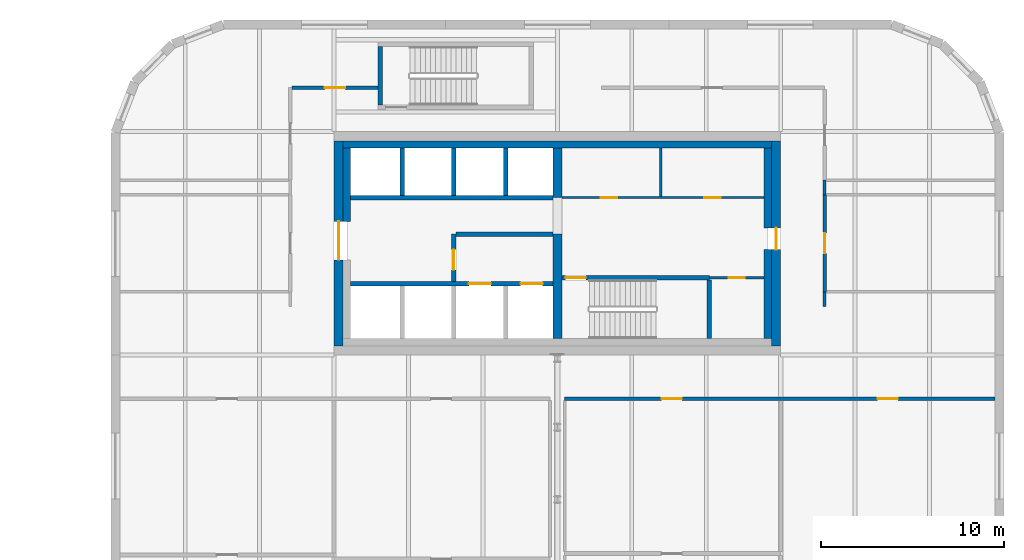
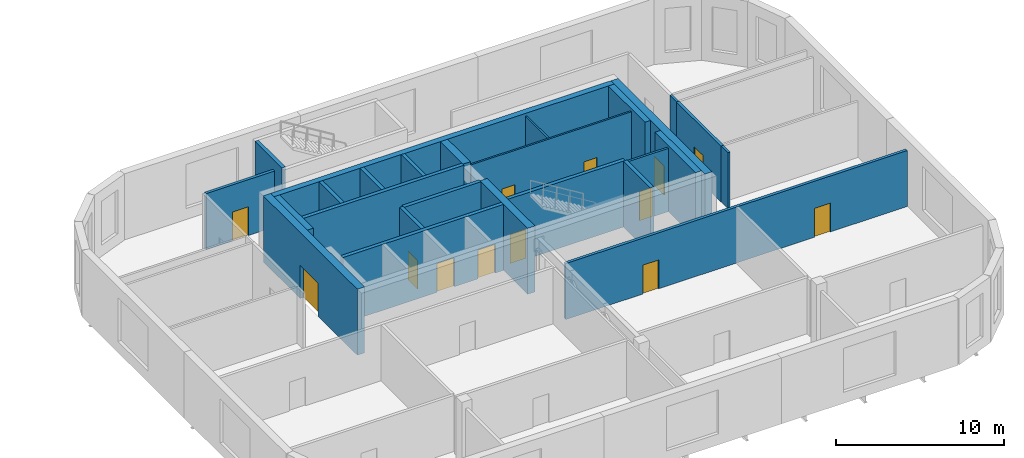
# One storey, part 15 of 21: 26 walls, 13 doors, 13 openings.
"""IFC4 building model written with IfcOpenShell, lengths in metres."""

from ifc_helpers import new_model, si_unit, direction, frame, frame_2d, origin, place, context, subcontext, project, spatial, rectangle, extrude, source, transform, mapped, material, layer, layer_set, type_object, element, fill, save


model = new_model("IFC4")

# Units and contexts
model_context = context("Model", 3, precision=1e-05, world=origin(), true_north=direction((0.0, 1.0)))
body_context = subcontext(model_context, "Body", "Model", "MODEL_VIEW")
ifc_project = project(units=[si_unit("LENGTHUNIT", "METRE"), si_unit("AREAUNIT", "SQUARE_METRE"), si_unit("VOLUMEUNIT", "CUBIC_METRE"), si_unit("PLANEANGLEUNIT", "RADIAN"), si_unit("MASSUNIT", "GRAM", prefix="KILO")], contexts=[model_context])

# Site, building, storey
site_placement = place(None, origin())
site = spatial("IfcSite", under=ifc_project, at=site_placement, CompositionType="ELEMENT")
building_placement = place(site_placement, origin())
building = spatial("IfcBuilding", under=site, at=building_placement, Name="Tessera Gate Towers", CompositionType="ELEMENT")
storey_placement = place(building_placement, frame((0.0, 0.0, 63.800048828125)))
storey = spatial("IfcBuildingStorey", under=building, at=storey_placement, Name="L15", CompositionType="ELEMENT", Elevation=63.800048828125)

# Walls
ifc_material_1 = material(Name="Gypsum board on steel studs, mineral wool", Category="steel")
ifc_layer_1 = layer(ifc_material_1, 0.14990234375)
ifc_layer_set_1 = layer_set([ifc_layer_1], Name="CHASE WALL 150")
wall_type_1 = type_object("IfcWallType", Name="CHASE WALL 150", PredefinedType="PARTITIONING", material=ifc_layer_set_1)
wall_1_placement = place(storey_placement, frame((124.39990234375, 39.25, 0.0), z_axis=(0.0, 0.0, 1.0), x_axis=(0.0, 1.0, 0.0)))
element("IfcWall", 1, at=wall_1_placement, inside=storey, type_object=wall_type_1, Name="T2-L15-PW-019", PredefinedType="PARTITIONING", context=body_context, shape_type="SweptSolid", body=[
    extrude(rectangle(XDim=0.799072265625, YDim=0.14990234375, at=frame_2d((0.3994140625, 0.0))), origin(), (0.0, 0.0, 1.0), 4.06689453125),
])
wall_2_placement = place(storey_placement, frame((124.39990234375, 45.35107421875, 0.0), z_axis=(0.0, 0.0, 1.0), x_axis=(0.0, 1.0, 0.0)))
element("IfcWall", 2, at=wall_2_placement, inside=storey, type_object=wall_type_1, Name="T2-L15-PW-026", PredefinedType="PARTITIONING", context=body_context, shape_type="SweptSolid", body=[
    extrude(rectangle(XDim=0.7978515625, YDim=0.14990234375, at=frame_2d((0.39892578125, 0.0))), origin(), (0.0, 0.0, 1.0), 4.06689453125),
])

# Wall, openings, doors
ifc_material_2 = material(Name="Concrete C40/50", Category="concrete")
ifc_layer_2 = layer(ifc_material_2, 0.25)
ifc_layer_set_2 = layer_set([ifc_layer_2], Name="CORE ENCLOSURE WALL 250")
wall_type_2 = type_object("IfcWallType", Name="CORE ENCLOSURE WALL 250", PredefinedType="SOLIDWALL", material=ifc_layer_set_2)
wall_3_placement = place(storey_placement, frame((98.5, 40.5, 0.0), z_axis=(0.0, 0.0, 1.0), x_axis=(1.0, 0.0, 0.0)))
wall_3 = element("IfcWall", 3, at=wall_3_placement, inside=storey, type_object=wall_type_2, Name="L15 shaft and stair enclosure wall", PredefinedType="SOLIDWALL", context=body_context, shape_type="SweptSolid", body=[
    extrude(rectangle(XDim=11.050048828125, YDim=0.25, at=frame_2d((5.52490234375, 0.0))), origin(), (0.0, 0.0, 1.0), 4.800048828125),
])
shared_shape_1 = source(origin(), body_context, "Body", "SweptSolid", [
    extrude(rectangle(XDim=1.199951171875, YDim=2.10009765625, at=frame_2d((0.60009765625, 1.050048828125))), frame((0.0, 0.135009765625, 0.0), z_axis=(0.0, -1.0, 0.0), x_axis=(1.0, 0.0, 0.0)), (0.0, 0.0, 1.0), 0.27001953125),
])
opening_1_placement = place(wall_3_placement, frame((6.46240234375, 0.0, 0.0)))
opening_1 = element("IfcOpeningElement", 4, at=opening_1_placement, cuts=wall_3, Name="Opening LD-FF3", PredefinedType="OPENING", context=body_context, shape_type="MappedRepresentation", body=[
    mapped(shared_shape_1, transform((0.0, 0.0, 0.0), scale=1.0)),
])
opening_2_placement = place(wall_3_placement, frame((9.28759765625, 0.0, 0.0)))
opening_2 = element("IfcOpeningElement", 5, at=opening_2_placement, cuts=wall_3, Name="Opening LD-FF4", PredefinedType="OPENING", context=body_context, shape_type="MappedRepresentation", body=[
    mapped(shared_shape_1, transform((0.0, 0.0, 0.0), scale=1.0)),
])
ifc_material_3 = material(Name="Stainless steel", Category="steel")
door_type_1 = type_object("IfcDoorType", Name="CORE DOOR LD1200 1200x2100", OperationType="DOUBLE_DOOR_SLIDING", PredefinedType="DOOR", material=ifc_material_3)
shared_shape_2 = source(origin(), body_context, "Body", "SweptSolid", [
    extrude(rectangle(XDim=1.199951171875, YDim=2.10009765625, at=frame_2d((0.60009765625, 1.050048828125))), frame((0.0, 0.02490234375, 0.0), z_axis=(0.0, -1.0, 0.0), x_axis=(1.0, 0.0, 0.0)), (0.0, 0.0, 1.0), 0.050048828125),
])
door_1_placement = place(opening_1_placement, origin())
door_1 = element("IfcDoor", 6, at=door_1_placement, inside=storey, type_object=door_type_1, Name="Landing door FF3 L15", OperationType="DOUBLE_DOOR_SLIDING", OverallHeight=2.10009765625, OverallWidth=1.199951171875, PredefinedType="DOOR", context=body_context, shape_type="MappedRepresentation", body=[
    mapped(shared_shape_2, transform((0.0, 0.0, 0.0), scale=1.0)),
])
fill(opening_1, door_1)
door_2_placement = place(opening_2_placement, origin())
door_2 = element("IfcDoor", 7, at=door_2_placement, inside=storey, type_object=door_type_1, Name="Landing door FF4 L15", OperationType="DOUBLE_DOOR_SLIDING", OverallHeight=2.10009765625, OverallWidth=1.199951171875, PredefinedType="DOOR", context=body_context, shape_type="MappedRepresentation", body=[
    mapped(shared_shape_2, transform((0.0, 0.0, 0.0), scale=1.0)),
])
fill(opening_2, door_2)

# Wall
wall_4_placement = place(storey_placement, frame((98.5, 45.199951171875, 0.0), z_axis=(0.0, 0.0, 1.0), x_axis=(1.0, 0.0, 0.0)))
element("IfcWall", 8, at=wall_4_placement, inside=storey, type_object=wall_type_2, Name="L15 shaft and stair enclosure wall", PredefinedType="SOLIDWALL", context=body_context, shape_type="SweptSolid", body=[
    extrude(rectangle(XDim=11.050048828125, YDim=0.25, at=frame_2d((5.52490234375, 0.0))), origin(), (0.0, 0.0, 1.0), 4.800048828125),
])

# Wall, opening, door
wall_5_placement = place(storey_placement, frame((118.10009765625, 40.824951171875, 0.0), z_axis=(0.0, 0.0, 1.0), x_axis=(-1.0, 0.0, 0.0)))
wall_5 = element("IfcWall", 9, at=wall_5_placement, inside=storey, type_object=wall_type_2, Name="L15 shaft and stair enclosure wall", PredefinedType="SOLIDWALL", context=body_context, shape_type="SweptSolid", body=[
    extrude(rectangle(XDim=8.050048828125, YDim=0.25, at=frame_2d((4.02490234375, 0.0))), origin(), (0.0, 0.0, 1.0), 4.800048828125),
])
shared_shape_3 = source(origin(), body_context, "Body", "SweptSolid", [
    extrude(rectangle(XDim=1.10009765625, YDim=2.10009765625, at=frame_2d((0.550048828125, 1.050048828125))), frame((0.0, 0.135009765625, 0.0), z_axis=(0.0, -1.0, 0.0), x_axis=(1.0, 0.0, 0.0)), (0.0, 0.0, 1.0), 0.27001953125),
])
opening_3_placement = place(wall_5_placement, frame((6.75, 0.0, 0.0)))
opening_3 = element("IfcOpeningElement", 10, at=opening_3_placement, cuts=wall_5, Name="Opening SD-ST6-1", PredefinedType="OPENING", context=body_context, shape_type="MappedRepresentation", body=[
    mapped(shared_shape_3, transform((0.0, 0.0, 0.0), scale=1.0)),
])
ifc_material_4 = material(Name="Hollow steel fire door", Category="steel")
door_type_2 = type_object("IfcDoorType", Name="CORE DOOR SD1100 1100x2100", OperationType="NOTDEFINED", PredefinedType="DOOR", material=ifc_material_4)
shared_shape_4 = source(origin(), body_context, "Body", "SweptSolid", [
    extrude(rectangle(XDim=1.10009765625, YDim=2.10009765625, at=frame_2d((0.550048828125, 1.050048828125))), frame((0.0, 0.02490234375, 0.0), z_axis=(0.0, -1.0, 0.0), x_axis=(1.0, 0.0, 0.0)), (0.0, 0.0, 1.0), 0.050048828125),
])
door_3_placement = place(opening_3_placement, origin())
door_3 = element("IfcDoor", 11, at=door_3_placement, inside=storey, type_object=door_type_2, Name="Stair door", OperationType="SINGLE_SWING_RIGHT", OverallHeight=2.10009765625, OverallWidth=1.10009765625, PredefinedType="DOOR", context=body_context, shape_type="MappedRepresentation", body=[
    mapped(shared_shape_4, transform((0.0, 0.0, 0.0), scale=1.0)),
])
fill(opening_3, door_3)

wall_6_placement = place(storey_placement, frame((104.14990234375, 43.199951171875, 0.0), z_axis=(0.0, 0.0, 1.0), x_axis=(0.0, -1.0, 0.0)))
wall_6 = element("IfcWall", 12, at=wall_6_placement, inside=storey, type_object=wall_type_2, Name="L15 shaft and stair enclosure wall", PredefinedType="SOLIDWALL", context=body_context, shape_type="SweptSolid", body=[
    extrude(rectangle(XDim=2.574951171875, YDim=0.25, at=frame_2d((1.28759765625, 0.0))), origin(), (0.0, 0.0, 1.0), 4.800048828125),
])
opening_4_placement = place(wall_6_placement, frame((0.85009765625, 0.0, 0.0)))
opening_4 = element("IfcOpeningElement", 13, at=opening_4_placement, cuts=wall_6, Name="Opening FD-T2-08-03", PredefinedType="OPENING", context=body_context, shape_type="MappedRepresentation", body=[
    mapped(shared_shape_3, transform((0.0, 0.0, 0.0), scale=1.0)),
])
ifc_material_5 = material(Name="Hollow steel fire door", Category="steel")
door_type_3 = type_object("IfcDoorType", Name="CORE DOOR FD 1100x2100", OperationType="NOTDEFINED", PredefinedType="DOOR", material=ifc_material_5)
door_4_placement = place(opening_4_placement, origin())
door_4 = element("IfcDoor", 14, at=door_4_placement, inside=storey, type_object=door_type_3, Name="Fire-fighting lobby door", OperationType="SINGLE_SWING_RIGHT", OverallHeight=2.10009765625, OverallWidth=1.10009765625, PredefinedType="DOOR", context=body_context, shape_type="MappedRepresentation", body=[
    mapped(shared_shape_4, transform((0.0, 0.0, 0.0), scale=1.0)),
])
fill(opening_4, door_4)

# Walls
wall_7_placement = place(storey_placement, frame((104.27490234375, 43.199951171875, 0.0), z_axis=(0.0, 0.0, 1.0), x_axis=(1.0, 0.0, 0.0)))
element("IfcWall", 15, at=wall_7_placement, inside=storey, type_object=wall_type_2, Name="L15 shaft and stair enclosure wall", PredefinedType="SOLIDWALL", context=body_context, shape_type="SweptSolid", body=[
    extrude(rectangle(XDim=5.275146484375, YDim=0.25, at=frame_2d((2.6376953125, 0.0))), origin(), (0.0, 0.0, 1.0), 4.800048828125),
])
wall_8_placement = place(storey_placement, frame((118.10009765625, 37.5, 0.0), z_axis=(0.0, 0.0, 1.0), x_axis=(0.0, 1.0, 0.0)))
element("IfcWall", 16, at=wall_8_placement, inside=storey, type_object=wall_type_2, Name="L15 shaft and stair enclosure wall", PredefinedType="SOLIDWALL", context=body_context, shape_type="SweptSolid", body=[
    extrude(rectangle(XDim=3.199951171875, YDim=0.25, at=frame_2d((1.60009765625, 0.0))), origin(), (0.0, 0.0, 1.0), 4.800048828125),
])
for number, where, z_axis, x_axis, name in (
    (17, (101.324951171875, 45.324951171875, 0.0), (0.0, 0.0, 1.0), (0.0, 1.0, 0.0), "L15 shaft and stair enclosure wall"),
    (18, (104.14990234375, 45.324951171875, 0.0), (0.0, 0.0, 1.0), (0.0, 1.0, 0.0), "L15 shaft and stair enclosure wall"),
    (19, (106.97509765625, 45.324951171875, 0.0), (0.0, 0.0, 1.0), (0.0, 1.0, 0.0), "L15 shaft and stair enclosure wall"),
):
    element("IfcWall", number, at=place(storey_placement, frame(where, z_axis=z_axis, x_axis=x_axis)), inside=storey, type_object=wall_type_2, Name=name, PredefinedType="SOLIDWALL", context=body_context, shape_type="SweptSolid", body=[
        extrude(rectangle(XDim=2.574951171875, YDim=0.25, at=frame_2d((1.28759765625, 0.0))), origin(), (0.0, 0.0, 1.0), 4.800048828125),
    ])
wall_9_placement = place(storey_placement, frame((100.125, 50.25, 0.0), z_axis=(0.0, 0.0, 1.0), x_axis=(0.0, 1.0, 0.0)))
element("IfcWall", 20, at=wall_9_placement, inside=storey, type_object=wall_type_2, Name="L15 ST7 enclosure wall", PredefinedType="SOLIDWALL", context=body_context, shape_type="SweptSolid", body=[
    extrude(rectangle(XDim=3.199951171875, YDim=0.25, at=frame_2d((1.60009765625, 0.0))), origin(), (0.0, 0.0, 1.0), 4.800048828125),
])

# Wall, openings, doors
ifc_material_6 = material(Name="Gypsum board on steel studs", Category="steel")
ifc_layer_3 = layer(ifc_material_6, 0.1201171875)
ifc_layer_set_3 = layer_set([ifc_layer_3], Name="CORE PARTITION 120")
wall_type_3 = type_object("IfcWallType", Name="CORE PARTITION 120", PredefinedType="PARTITIONING", material=ifc_layer_set_3)
wall_10_placement = place(storey_placement, frame((110.050048828125, 45.199951171875, 0.0), z_axis=(0.0, 0.0, 1.0), x_axis=(1.0, 0.0, 0.0)))
wall_10 = element("IfcWall", 21, at=wall_10_placement, inside=storey, type_object=wall_type_3, Name="L15 core partition", PredefinedType="PARTITIONING", context=body_context, shape_type="SweptSolid", body=[
    extrude(rectangle(XDim=11.050048828125, YDim=0.1201171875, at=frame_2d((5.52490234375, 0.0))), origin(), (0.0, 0.0, 1.0), 4.599853515625),
])
shared_shape_5 = source(origin(), body_context, "Body", "SweptSolid", [
    extrude(rectangle(XDim=0.89990234375, YDim=2.10009765625, at=frame_2d((0.449951171875, 1.050048828125))), frame((0.0, 0.070068359375, 0.0), z_axis=(0.0, -1.0, 0.0), x_axis=(1.0, 0.0, 0.0)), (0.0, 0.0, 1.0), 0.14013671875),
])
opening_5_placement = place(wall_10_placement, frame((2.125, 0.0, 0.0)))
opening_5 = element("IfcOpeningElement", 22, at=opening_5_placement, cuts=wall_10, Name="Opening RD-T2-08-04", PredefinedType="OPENING", context=body_context, shape_type="MappedRepresentation", body=[
    mapped(shared_shape_5, transform((0.0, 0.0, 0.0), scale=1.0)),
])
opening_6_placement = place(wall_10_placement, frame((7.77490234375, 0.0, 0.0)))
opening_6 = element("IfcOpeningElement", 23, at=opening_6_placement, cuts=wall_10, Name="Opening RD-T2-08-05", PredefinedType="OPENING", context=body_context, shape_type="MappedRepresentation", body=[
    mapped(shared_shape_5, transform((0.0, 0.0, 0.0), scale=1.0)),
])
ifc_material_7 = material(Name="Hollow steel fire door", Category="steel")
door_type_4 = type_object("IfcDoorType", Name="CORE DOOR RD 900x2100", OperationType="NOTDEFINED", PredefinedType="DOOR", material=ifc_material_7)
shared_shape_6 = source(origin(), body_context, "Body", "SweptSolid", [
    extrude(rectangle(XDim=0.89990234375, YDim=2.10009765625, at=frame_2d((0.449951171875, 1.050048828125))), frame((0.0, 0.02490234375, 0.0), z_axis=(0.0, -1.0, 0.0), x_axis=(1.0, 0.0, 0.0)), (0.0, 0.0, 1.0), 0.050048828125),
])
door_5_placement = place(opening_5_placement, origin())
door_5 = element("IfcDoor", 24, at=door_5_placement, inside=storey, type_object=door_type_4, Name="Core room door", OperationType="SINGLE_SWING_LEFT", OverallHeight=2.10009765625, OverallWidth=0.89990234375, PredefinedType="DOOR", context=body_context, shape_type="MappedRepresentation", body=[
    mapped(shared_shape_6, transform((0.0, 0.0, 0.0), scale=1.0)),
])
fill(opening_5, door_5)
door_6_placement = place(opening_6_placement, origin())
door_6 = element("IfcDoor", 25, at=door_6_placement, inside=storey, type_object=door_type_4, Name="Core room door", OperationType="SINGLE_SWING_RIGHT", OverallHeight=2.10009765625, OverallWidth=0.89990234375, PredefinedType="DOOR", context=body_context, shape_type="MappedRepresentation", body=[
    mapped(shared_shape_6, transform((0.0, 0.0, 0.0), scale=1.0)),
])
fill(opening_6, door_6)

# Wall
wall_11_placement = place(storey_placement, frame((115.449951171875, 45.260009765625, 0.0), z_axis=(0.0, 0.0, 1.0), x_axis=(0.0, 1.0, 0.0)))
element("IfcWall", 26, at=wall_11_placement, inside=storey, type_object=wall_type_3, Name="L15 core partition", PredefinedType="PARTITIONING", context=body_context, shape_type="SweptSolid", body=[
    extrude(rectangle(XDim=2.639892578125, YDim=0.1201171875, at=frame_2d((1.31982421875, 0.0))), origin(), (0.0, 0.0, 1.0), 4.599853515625),
])

# Wall, opening, door
ifc_material_8 = material(Name="Concrete C50/60", Category="concrete")
ifc_layer_4 = layer(ifc_material_8, 0.5)
ifc_layer_set_4 = layer_set([ifc_layer_4], Name="CORE SHEAR WALL 500 C50/60")
wall_type_4 = type_object("IfcWallType", Name="CORE SHEAR WALL 500 C50/60", PredefinedType="SHEAR", material=ifc_layer_set_4)
wall_12_placement = place(storey_placement, frame((97.85009765625, 37.10009765625, 0.0), z_axis=(0.0, 0.0, 1.0), x_axis=(0.0, 1.0, 0.0)))
wall_12 = element("IfcWall", 27, at=wall_12_placement, inside=storey, type_object=wall_type_4, Name="Core wall W L15", PredefinedType="SHEAR", context=body_context, shape_type="SweptSolid", body=[
    extrude(rectangle(XDim=11.199951171875, YDim=0.5, at=frame_2d((5.60009765625, 0.0))), origin(), (0.0, 0.0, 1.0), 4.800048828125),
])
shared_shape_7 = source(origin(), body_context, "Body", "SweptSolid", [
    extrude(rectangle(XDim=2.10009765625, YDim=2.39990234375, at=frame_2d((1.050048828125, 1.199951171875))), frame((0.0, 0.260009765625, 0.0), z_axis=(0.0, -1.0, 0.0), x_axis=(1.0, 0.0, 0.0)), (0.0, 0.0, 1.0), 0.52001953125),
])
opening_7_placement = place(wall_12_placement, frame((4.699951171875, 0.0, 0.0)))
opening_7 = element("IfcOpeningElement", 28, at=opening_7_placement, cuts=wall_12, Name="Opening DD-T2-08-01", PredefinedType="OPENING", context=body_context, shape_type="MappedRepresentation", body=[
    mapped(shared_shape_7, transform((0.0, 0.0, 0.0), scale=1.0)),
])
ifc_material_9 = material(Name="Hollow steel fire door", Category="steel")
door_type_5 = type_object("IfcDoorType", Name="CORE DOOR DD 2100x2400", OperationType="NOTDEFINED", PredefinedType="DOOR", material=ifc_material_9)
shared_shape_8 = source(origin(), body_context, "Body", "SweptSolid", [
    extrude(rectangle(XDim=2.10009765625, YDim=2.39990234375, at=frame_2d((1.050048828125, 1.199951171875))), frame((0.0, 0.02490234375, 0.0), z_axis=(0.0, -1.0, 0.0), x_axis=(1.0, 0.0, 0.0)), (0.0, 0.0, 1.0), 0.050048828125),
])
door_7_placement = place(opening_7_placement, origin())
door_7 = element("IfcDoor", 29, at=door_7_placement, inside=storey, type_object=door_type_5, Name="Core entrance door", OperationType="DOUBLE_DOOR_SINGLE_SWING", OverallHeight=2.39990234375, OverallWidth=2.10009765625, PredefinedType="DOOR", context=body_context, shape_type="MappedRepresentation", body=[
    mapped(shared_shape_8, transform((0.0, 0.0, 0.0), scale=1.0)),
])
fill(opening_7, door_7)

wall_13_placement = place(storey_placement, frame((121.75, 48.300048828125, 0.0), z_axis=(0.0, 0.0, 1.0), x_axis=(0.0, -1.0, 0.0)))
wall_13 = element("IfcWall", 30, at=wall_13_placement, inside=storey, type_object=wall_type_4, Name="Core wall E L15", PredefinedType="SHEAR", context=body_context, shape_type="SweptSolid", body=[
    extrude(rectangle(XDim=11.199951171875, YDim=0.5, at=frame_2d((5.60009765625, 0.0))), origin(), (0.0, 0.0, 1.0), 4.800048828125),
])
shared_shape_9 = source(origin(), body_context, "Body", "SweptSolid", [
    extrude(rectangle(XDim=1.199951171875, YDim=2.10009765625, at=frame_2d((0.60009765625, 1.050048828125))), frame((0.0, 0.260009765625, 0.0), z_axis=(0.0, -1.0, 0.0), x_axis=(1.0, 0.0, 0.0)), (0.0, 0.0, 1.0), 0.52001953125),
])
opening_8_placement = place(wall_13_placement, frame((4.75, 0.0, 0.0)))
opening_8 = element("IfcOpeningElement", 31, at=opening_8_placement, cuts=wall_13, Name="Opening ED-T2-08-02", PredefinedType="OPENING", context=body_context, shape_type="MappedRepresentation", body=[
    mapped(shared_shape_9, transform((0.0, 0.0, 0.0), scale=1.0)),
])
ifc_material_10 = material(Name="Hollow steel fire door", Category="steel")
door_type_6 = type_object("IfcDoorType", Name="CORE DOOR ED 1200x2100", OperationType="NOTDEFINED", PredefinedType="DOOR", material=ifc_material_10)
door_8_placement = place(opening_8_placement, origin())
door_8 = element("IfcDoor", 32, at=door_8_placement, inside=storey, type_object=door_type_6, Name="Core exit door", OperationType="SINGLE_SWING_LEFT", OverallHeight=2.10009765625, OverallWidth=1.199951171875, PredefinedType="DOOR", context=body_context, shape_type="MappedRepresentation", body=[
    mapped(shared_shape_2, transform((0.0, 0.0, 0.0), scale=1.0)),
])
fill(opening_8, door_8)

# Walls
ifc_material_11 = material(Name="Concrete C50/60", Category="concrete")
ifc_layer_5 = layer(ifc_material_11, 0.5)
ifc_layer_set_5 = layer_set([ifc_layer_5], Name="CORE SPINE WALL 500 C50/60")
wall_type_5 = type_object("IfcWallType", Name="CORE SPINE WALL 500 C50/60", PredefinedType="SHEAR", material=ifc_layer_set_5)
wall_14_placement = place(storey_placement, frame((109.800048828125, 37.5, 0.0), z_axis=(0.0, 0.0, 1.0), x_axis=(0.0, 1.0, 0.0)))
element("IfcWall", 33, at=wall_14_placement, inside=storey, type_object=wall_type_5, Name="Core wall spine L15", PredefinedType="SHEAR", context=body_context, shape_type="SweptSolid", body=[
    extrude(rectangle(XDim=5.699951171875, YDim=0.5, at=frame_2d((2.85009765625, 0.0))), origin(), (0.0, 0.0, 1.0), 4.800048828125),
])
wall_15_placement = place(storey_placement, frame((109.800048828125, 45.199951171875, 0.0), z_axis=(0.0, 0.0, 1.0), x_axis=(0.0, 1.0, 0.0)))
element("IfcWall", 34, at=wall_15_placement, inside=storey, type_object=wall_type_5, Name="Core wall spine L15", PredefinedType="SHEAR", context=body_context, shape_type="SweptSolid", body=[
    extrude(rectangle(XDim=2.699951171875, YDim=0.5, at=frame_2d((1.35009765625, 0.0))), origin(), (0.0, 0.0, 1.0), 4.800048828125),
])
ifc_material_12 = material(Name="Concrete C50/60", Category="concrete")
ifc_layer_6 = layer(ifc_material_12, 0.39990234375)
ifc_layer_set_6 = layer_set([ifc_layer_6], Name="CORE WALL THICKENING 400")
wall_type_6 = type_object("IfcWallType", Name="CORE WALL THICKENING 400", PredefinedType="SOLIDWALL", material=ifc_layer_set_6)
wall_16_placement = place(storey_placement, frame((98.10009765625, 48.10009765625, 0.0), z_axis=(0.0, 0.0, 1.0), x_axis=(1.0, 0.0, 0.0)))
element("IfcWall", 35, at=wall_16_placement, inside=storey, type_object=wall_type_6, Name="Core wall thickening N L15", PredefinedType="SOLIDWALL", context=body_context, shape_type="SweptSolid", body=[
    extrude(rectangle(XDim=23.39990234375, YDim=0.39990234375, at=frame_2d((11.699951171875, 0.0))), origin(), (0.0, 0.0, 1.0), 4.800048828125),
])
wall_17_placement = place(storey_placement, frame((98.300048828125, 43.89990234375, 0.0), z_axis=(0.0, 0.0, 1.0), x_axis=(0.0, 1.0, 0.0)))
element("IfcWall", 36, at=wall_17_placement, inside=storey, type_object=wall_type_6, Name="Core wall thickening W L15", PredefinedType="SOLIDWALL", context=body_context, shape_type="SweptSolid", body=[
    extrude(rectangle(XDim=4.0, YDim=0.39990234375, at=frame_2d((2.0, 0.0))), origin(), (0.0, 0.0, 1.0), 4.800048828125),
])
wall_18_placement = place(storey_placement, frame((121.300048828125, 37.5, 0.0), z_axis=(0.0, 0.0, 1.0), x_axis=(0.0, 1.0, 0.0)))
element("IfcWall", 37, at=wall_18_placement, inside=storey, type_object=wall_type_6, Name="Core wall thickening E L15", PredefinedType="SOLIDWALL", context=body_context, shape_type="SweptSolid", body=[
    extrude(rectangle(XDim=4.85009765625, YDim=0.39990234375, at=frame_2d((2.425048828125, 0.0))), origin(), (0.0, 0.0, 1.0), 4.800048828125),
])
wall_19_placement = place(storey_placement, frame((121.300048828125, 43.550048828125, 0.0), z_axis=(0.0, 0.0, 1.0), x_axis=(0.0, 1.0, 0.0)))
element("IfcWall", 38, at=wall_19_placement, inside=storey, type_object=wall_type_6, Name="Core wall thickening E L15", PredefinedType="SOLIDWALL", context=body_context, shape_type="SweptSolid", body=[
    extrude(rectangle(XDim=4.349853515625, YDim=0.39990234375, at=frame_2d((2.1748046875, 0.0))), origin(), (0.0, 0.0, 1.0), 4.800048828125),
])

# Wall, openings, doors
ifc_material_13 = material(Name="Concrete masonry unit", Category="masonry")
ifc_layer_7 = layer(ifc_material_13, 0.199951171875)
ifc_layer_set_7 = layer_set([ifc_layer_7], Name="PLANT WALL 200")
wall_type_7 = type_object("IfcWallType", Name="PLANT WALL 200", PredefinedType="PARTITIONING", material=ifc_layer_set_7)
wall_20_placement = place(storey_placement, frame((133.699951171875, 34.199951171875, 0.0), z_axis=(0.0, 0.0, 1.0), x_axis=(-1.0, 0.0, 0.0)))
wall_20 = element("IfcWall", 39, at=wall_20_placement, inside=storey, type_object=wall_type_7, Name="T2-L15-PW-017", PredefinedType="PARTITIONING", context=body_context, shape_type="SweptSolid", body=[
    extrude(rectangle(XDim=23.5, YDim=0.199951171875, at=frame_2d((11.75, 0.0))), origin(), (0.0, 0.0, 1.0), 4.06689453125),
])
shared_shape_10 = source(origin(), body_context, "Body", "SweptSolid", [
    extrude(rectangle(XDim=1.10009765625, YDim=2.10009765625, at=frame_2d((0.550048828125, 1.050048828125))), frame((0.0, 0.10986328125, 0.0), z_axis=(0.0, -1.0, 0.0), x_axis=(1.0, 0.0, 0.0)), (0.0, 0.0, 1.0), 0.219970703125),
])
opening_9_placement = place(wall_20_placement, frame((5.299072265625, 0.0, 0.0)))
opening_9 = element("IfcOpeningElement", 40, at=opening_9_placement, cuts=wall_20, Name="Opening D5110FD90-B20-07", PredefinedType="OPENING", context=body_context, shape_type="MappedRepresentation", body=[
    mapped(shared_shape_10, transform((0.0, 0.0, 0.0), scale=1.0)),
])
opening_10_placement = place(wall_20_placement, frame((17.10009765625, 0.0, 0.0)))
opening_10 = element("IfcOpeningElement", 41, at=opening_10_placement, cuts=wall_20, Name="Opening D5110FD90-B20-10", PredefinedType="OPENING", context=body_context, shape_type="MappedRepresentation", body=[
    mapped(shared_shape_10, transform((0.0, 0.0, 0.0), scale=1.0)),
])
ifc_material_14 = material(Name="Timber door leaf in steel frame", Category="steel")
door_type_7 = type_object("IfcDoorType", Name="PLANT DOOR 1100 FD90", OperationType="NOTDEFINED", PredefinedType="DOOR", material=ifc_material_14)
door_9_placement = place(opening_9_placement, origin())
door_9 = element("IfcDoor", 42, at=door_9_placement, inside=storey, type_object=door_type_7, Name="T2-L15-PD-007", OperationType="SINGLE_SWING_RIGHT", OverallHeight=2.10009765625, OverallWidth=1.10009765625, PredefinedType="DOOR", context=body_context, shape_type="MappedRepresentation", body=[
    mapped(shared_shape_4, transform((0.0, 0.0, 0.0), scale=1.0)),
])
fill(opening_9, door_9)
door_10_placement = place(opening_10_placement, origin())
door_10 = element("IfcDoor", 43, at=door_10_placement, inside=storey, type_object=door_type_7, Name="T2-L15-PD-010", OperationType="SINGLE_SWING_RIGHT", OverallHeight=2.10009765625, OverallWidth=1.10009765625, PredefinedType="DOOR", context=body_context, shape_type="MappedRepresentation", body=[
    mapped(shared_shape_4, transform((0.0, 0.0, 0.0), scale=1.0)),
])
fill(opening_10, door_10)

# Wall, opening, door
wall_21_placement = place(storey_placement, frame((124.39990234375, 45.35009765625, 0.0), z_axis=(0.0, 0.0, 1.0), x_axis=(0.0, -1.0, 0.0)))
wall_21 = element("IfcWall", 44, at=wall_21_placement, inside=storey, type_object=wall_type_7, Name="T2-L15-PW-022", PredefinedType="PARTITIONING", context=body_context, shape_type="SweptSolid", body=[
    extrude(rectangle(XDim=5.300048828125, YDim=0.199951171875, at=frame_2d((2.64990234375, 0.0))), origin(), (0.0, 0.0, 1.0), 4.06689453125),
])
opening_11_placement = place(wall_21_placement, frame((2.10009765625, 0.0, 0.0)))
opening_11 = element("IfcOpeningElement", 45, at=opening_11_placement, cuts=wall_21, Name="Opening D5110FD90-B20-05", PredefinedType="OPENING", context=body_context, shape_type="MappedRepresentation", body=[
    mapped(shared_shape_10, transform((0.0, 0.0, 0.0), scale=1.0)),
])
door_11_placement = place(opening_11_placement, origin())
door_11 = element("IfcDoor", 46, at=door_11_placement, inside=storey, type_object=door_type_7, Name="T2-L15-PD-005", OperationType="SINGLE_SWING_RIGHT", OverallHeight=2.10009765625, OverallWidth=1.10009765625, PredefinedType="DOOR", context=body_context, shape_type="MappedRepresentation", body=[
    mapped(shared_shape_4, transform((0.0, 0.0, 0.0), scale=1.0)),
])
fill(opening_11, door_11)

wall_22_placement = place(storey_placement, frame((95.301025390625, 51.199951171875, 0.0), z_axis=(0.0, 0.0, 1.0), x_axis=(1.0, 0.0, 0.0)))
wall_22 = element("IfcWall", 47, at=wall_22_placement, inside=storey, type_object=wall_type_7, Name="T2-L15-PW-032", PredefinedType="PARTITIONING", context=body_context, shape_type="SweptSolid", body=[
    extrude(rectangle(XDim=4.698974609375, YDim=0.199951171875, at=frame_2d((2.349609375, 0.0))), origin(), (0.0, 0.0, 1.0), 4.06689453125),
])
opening_12_placement = place(wall_22_placement, frame((1.800048828125, 0.0, 0.0)))
opening_12 = element("IfcOpeningElement", 48, at=opening_12_placement, cuts=wall_22, Name="Opening D5110FD90-B20-01", PredefinedType="OPENING", context=body_context, shape_type="MappedRepresentation", body=[
    mapped(shared_shape_10, transform((0.0, 0.0, 0.0), scale=1.0)),
])
door_12_placement = place(opening_12_placement, origin())
door_12 = element("IfcDoor", 49, at=door_12_placement, inside=storey, type_object=door_type_7, Name="T2-L15-PD-001", OperationType="SINGLE_SWING_LEFT", OverallHeight=2.10009765625, OverallWidth=1.10009765625, PredefinedType="DOOR", context=body_context, shape_type="MappedRepresentation", body=[
    mapped(shared_shape_4, transform((0.0, 0.0, 0.0), scale=1.0)),
])
fill(opening_12, door_12)

ifc_material_15 = material(Name="Gypsum board on steel studs", Category="steel")
ifc_layer_8 = layer(ifc_material_15, 0.14990234375)
ifc_layer_set_8 = layer_set([ifc_layer_8], Name="SERVICE ROOM WALL 150")
wall_type_8 = type_object("IfcWallType", Name="SERVICE ROOM WALL 150", PredefinedType="PARTITIONING", material=ifc_layer_set_8)
wall_23_placement = place(storey_placement, frame((121.10009765625, 40.824951171875, 0.0), z_axis=(0.0, 0.0, 1.0), x_axis=(-1.0, 0.0, 0.0)))
wall_23 = element("IfcWall", 50, at=wall_23_placement, inside=storey, type_object=wall_type_8, Name="L15 service room wall", PredefinedType="PARTITIONING", context=body_context, shape_type="SweptSolid", body=[
    extrude(rectangle(XDim=3.0, YDim=0.14990234375, at=frame_2d((1.5, 0.0))), origin(), (0.0, 0.0, 1.0), 4.599853515625),
])
shared_shape_11 = source(origin(), body_context, "Body", "SweptSolid", [
    extrude(rectangle(XDim=0.89990234375, YDim=2.10009765625, at=frame_2d((0.449951171875, 1.050048828125))), frame((0.0, 0.0849609375, 0.0), z_axis=(0.0, -1.0, 0.0), x_axis=(1.0, 0.0, 0.0)), (0.0, 0.0, 1.0), 0.169921875),
])
opening_13_placement = place(wall_23_placement, frame((1.050048828125, 0.0, 0.0)))
opening_13 = element("IfcOpeningElement", 51, at=opening_13_placement, cuts=wall_23, Name="Opening RD-T2-08-06", PredefinedType="OPENING", context=body_context, shape_type="MappedRepresentation", body=[
    mapped(shared_shape_11, transform((0.0, 0.0, 0.0), scale=1.0)),
])
door_13_placement = place(opening_13_placement, origin())
door_13 = element("IfcDoor", 52, at=door_13_placement, inside=storey, type_object=door_type_4, Name="Core room door", OperationType="SINGLE_SWING_RIGHT", OverallHeight=2.10009765625, OverallWidth=0.89990234375, PredefinedType="DOOR", context=body_context, shape_type="MappedRepresentation", body=[
    mapped(shared_shape_6, transform((0.0, 0.0, 0.0), scale=1.0)),
])
fill(opening_13, door_13)

save(model, "model.ifc")
